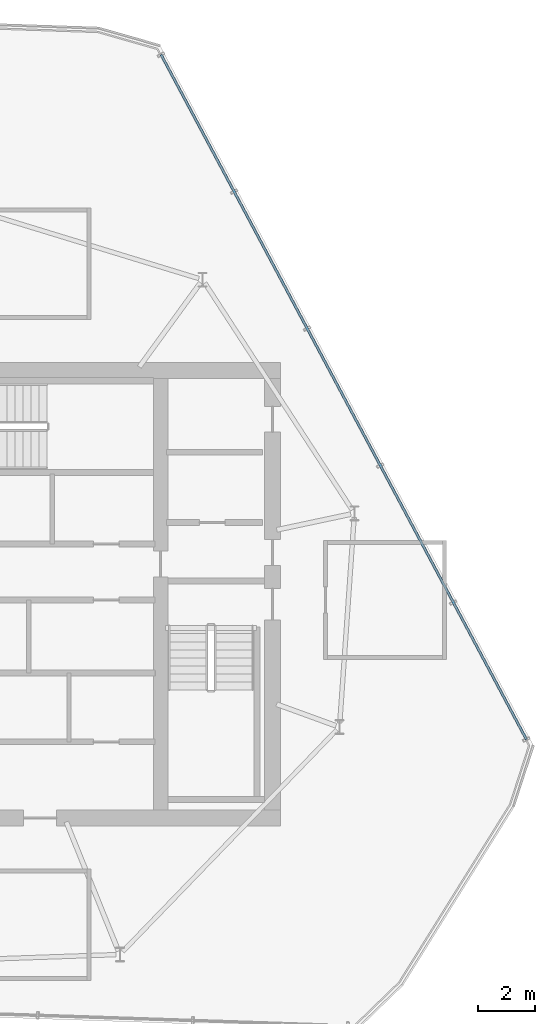
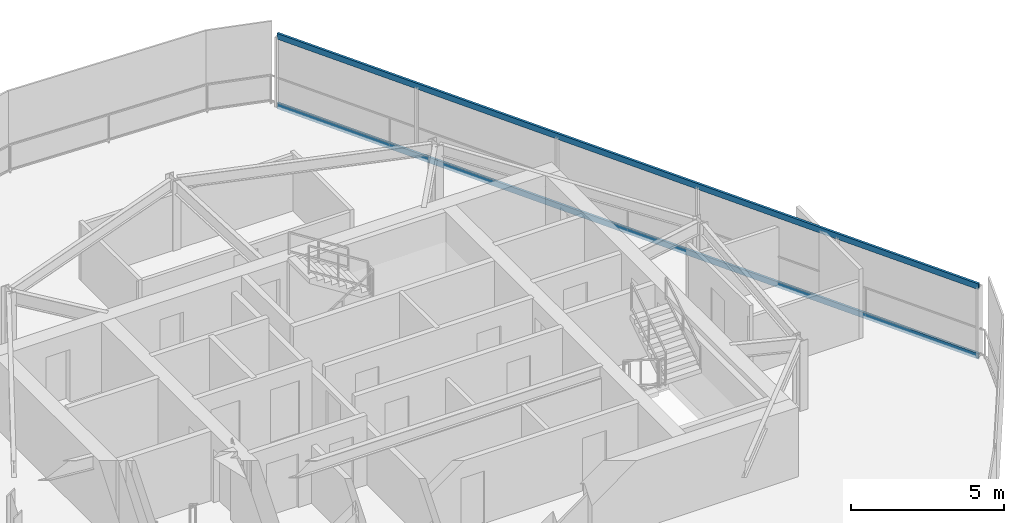
# One storey, part 11 of 16: 2 members, 1 element without a shape of its own.
"""IFC4 building model written with IfcOpenShell, lengths in metres."""

from ifc_helpers import new_model, si_unit, direction, frame, origin, origin_2d, place, context, subcontext, project, spatial, hollow_rectangle, extrude, material, layer, layer_set, material_profile, profile_set, type_object, element, aggregate, save


model = new_model("IFC4")

# Units and contexts
model_context = context("Model", 3, precision=1e-05, world=origin(), true_north=direction((0.0, 1.0)))
body_context = subcontext(model_context, "Body", "Model", "MODEL_VIEW")
ifc_project = project(units=[si_unit("LENGTHUNIT", "METRE"), si_unit("AREAUNIT", "SQUARE_METRE"), si_unit("VOLUMEUNIT", "CUBIC_METRE"), si_unit("PLANEANGLEUNIT", "RADIAN"), si_unit("MASSUNIT", "GRAM", prefix="KILO")], contexts=[model_context])

# Site, building, storey
site_placement = place(None, origin())
site = spatial("IfcSite", under=ifc_project, at=site_placement, CompositionType="ELEMENT")
building_placement = place(site_placement, origin())
building = spatial("IfcBuilding", under=site, at=building_placement, Name="Qarnah Convention Tower", CompositionType="ELEMENT")
storey_placement = place(building_placement, frame((0.0, 0.0, 286.699951171875)))
storey = spatial("IfcBuildingStorey", under=building, at=storey_placement, Name="L77", CompositionType="ELEMENT", Elevation=286.699951171875)

# Curtain wall, members
ifc_material_1 = material(Name="Tempered Low-E dark glass", Category="glass")
ifc_layer = layer(ifc_material_1, 0.177978515625)
ifc_layer_set = layer_set([ifc_layer], Name="Tempered Low-E dark glass")
curtain_wall_type = type_object("IfcCurtainWallType", Name="CWS-06", PredefinedType="NOTDEFINED", material=ifc_layer_set)
curtain_wall_placement = place(storey_placement, origin())
curtain_wall = element("IfcCurtainWall", 1, at=curtain_wall_placement, inside=storey, type_object=curtain_wall_type, Name="L77 unitised curtain wall CW-L77-F1", PredefinedType="NOTDEFINED")
ifc_material_2 = material(Name="Black anodised aluminium", Category="aluminium")
ifc_material_profile = material_profile(ifc_material_2, hollow_rectangle(XDim=0.0849609375, YDim=0.22998046875, WallThickness=0.006103515625, at=origin_2d()), Name="TRN-85X230")
ifc_profile_set = profile_set([ifc_material_profile], Name="Black anodised aluminium")
member_type = type_object("IfcMemberType", Name="TRN-T6", PredefinedType="USERDEFINED", material=ifc_profile_set)
member_1_placement = place(storey_placement, frame((43.715087890625, 45.205078125, 0.0), z_axis=(0.470714712053, -0.882285475261, 0.0), x_axis=(0.882285475261, 0.470714712053, 0.0)))
member_1 = element("IfcMember", 2, at=member_1_placement, type_object=member_type, Name="CW-L77-F1 transom 1", ObjectType="TRANSOM", PredefinedType="USERDEFINED", context=body_context, shape_type="SweptSolid", body=[
    extrude(hollow_rectangle(XDim=0.0849609375, YDim=0.22998046875, WallThickness=0.006103515625, at=origin_2d()), origin(), (0.0, 0.0, 1.0), 27.050048828125),
])
member_2_placement = place(storey_placement, frame((43.715087890625, 45.205078125, 2.780029296875), z_axis=(0.470714712053, -0.882285475261, 0.0), x_axis=(0.882285475261, 0.470714712053, 0.0)))
member_2 = element("IfcMember", 3, at=member_2_placement, type_object=member_type, Name="CW-L77-F1 transom 2", ObjectType="TRANSOM", PredefinedType="USERDEFINED", context=body_context, shape_type="SweptSolid", body=[
    extrude(hollow_rectangle(XDim=0.0849609375, YDim=0.22998046875, WallThickness=0.006103515625, at=origin_2d()), origin(), (0.0, 0.0, 1.0), 27.050048828125),
])
aggregate(curtain_wall, [member_1, member_2])

save(model, "model.ifc")
